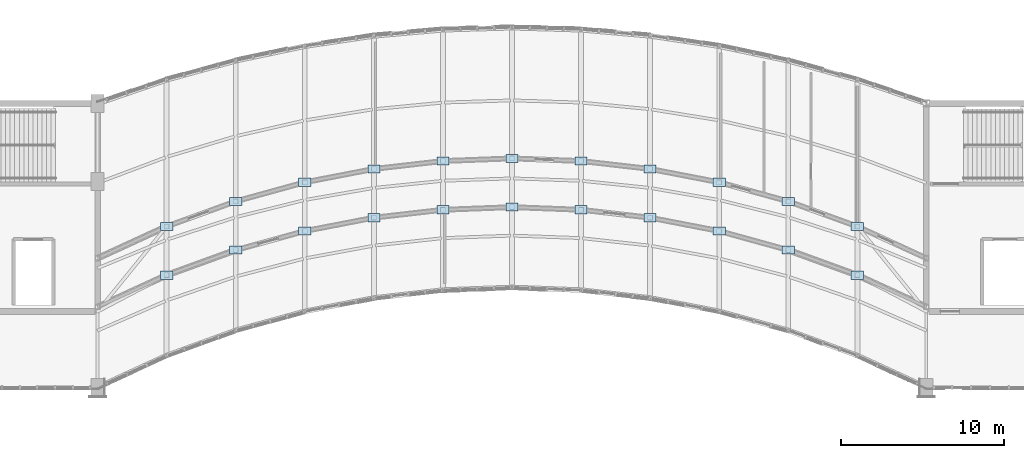
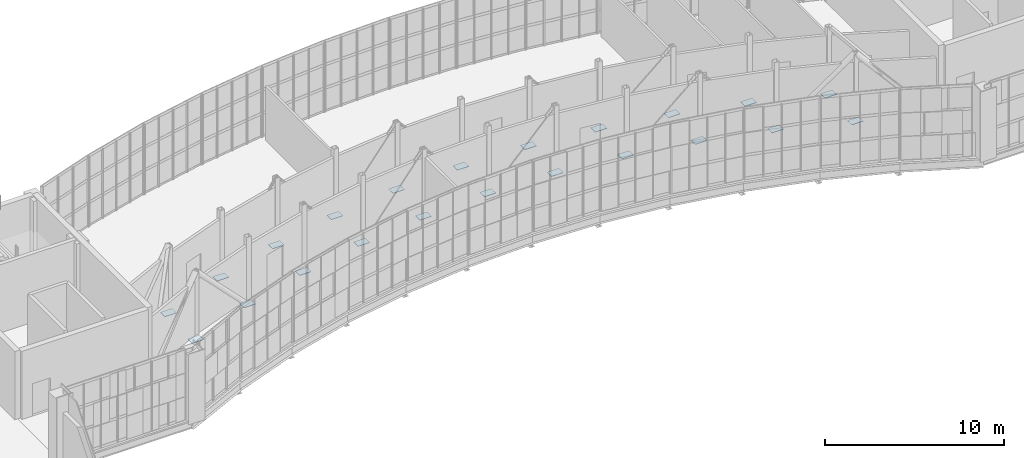
# One storey, part 50 of 66: 22 plates.
"""IFC4 building model written with IfcOpenShell, lengths in metres."""

from ifc_helpers import new_model, si_unit, direction, frame, origin, origin_2d, place, context, subcontext, project, spatial, rectangle, extrude, material, layer, layer_set, type_object, element, save


model = new_model("IFC4")

# Units and contexts
model_context = context("Model", 3, precision=1e-05, world=origin(), true_north=direction((0.0, 1.0)))
body_context = subcontext(model_context, "Body", "Model", "MODEL_VIEW")
ifc_project = project(units=[si_unit("LENGTHUNIT", "METRE"), si_unit("AREAUNIT", "SQUARE_METRE"), si_unit("VOLUMEUNIT", "CUBIC_METRE"), si_unit("PLANEANGLEUNIT", "RADIAN"), si_unit("MASSUNIT", "GRAM", prefix="KILO")], contexts=[model_context])

# Site, building, storey
site_placement = place(None, origin())
site = spatial("IfcSite", under=ifc_project, at=site_placement, CompositionType="ELEMENT")
building_placement = place(site_placement, origin())
building = spatial("IfcBuilding", under=site, at=building_placement, Name="Solvikara Media Centre", CompositionType="ELEMENT")
storey_placement = place(building_placement, frame((0.0, 0.0, 19.800048828125)))
storey = spatial("IfcBuildingStorey", under=building, at=storey_placement, Name="L04", CompositionType="ELEMENT", Elevation=19.800048828125)

# Plates
ifc_material = material(Name="Steel S355JR", Category="steel")
ifc_layer = layer(ifc_material, 0.028076171875)
ifc_layer_set = layer_set([ifc_layer], Name="Steel S355JR")
plate_type = type_object("IfcPlateType", Name="PL-01", PredefinedType="USERDEFINED", material=ifc_layer_set)
for number, where, z_axis, x_axis, name in (
    (1, (80.75, 26.22900390625, -0.4140625), (0.0, 0.0, 1.0), (1.0, 0.0, 0.0), "GP-L04-S-01"),
    (2, (85.0, 27.77392578125, -0.4140625), (0.0, 0.0, 1.0), (1.0, 0.0, 0.0), "GP-L04-S-02"),
    (3, (89.25, 28.946044921875, -0.4140625), (0.0, 0.0, 1.0), (1.0, 0.0, 0.0), "GP-L04-S-03"),
    (4, (93.5, 29.76806640625, -0.4140625), (0.0, 0.0, 1.0), (1.0, 0.0, 0.0), "GP-L04-S-04"),
    (5, (97.75, 30.2548828125, -0.4140625), (0.0, 0.0, 1.0), (1.0, 0.0, 0.0), "GP-L04-S-05"),
    (6, (102.0, 30.4169921875, -0.4140625), (0.0, 0.0, 1.0), (1.0, 0.0, 0.0), "GP-L04-S-06"),
    (7, (106.25, 30.2548828125, -0.4140625), (0.0, 0.0, 1.0), (1.0, 0.0, 0.0), "GP-L04-S-07"),
    (8, (110.5, 29.76806640625, -0.4140625), (0.0, 0.0, 1.0), (1.0, 0.0, 0.0), "GP-L04-S-08"),
    (9, (114.75, 28.946044921875, -0.4140625), (0.0, 0.0, 1.0), (1.0, 0.0, 0.0), "GP-L04-S-09"),
    (10, (119.0, 27.77392578125, -0.4140625), (0.0, 0.0, 1.0), (1.0, 0.0, 0.0), "GP-L04-S-10"),
    (11, (123.25, 26.22900390625, -0.4140625), (0.0, 0.0, 1.0), (1.0, 0.0, 0.0), "GP-L04-S-11"),
    (12, (80.75, 29.22900390625, -0.4140625), (0.0, 0.0, 1.0), (1.0, 0.0, 0.0), "GP-L04-N-01"),
    (13, (85.0, 30.77392578125, -0.4140625), (0.0, 0.0, 1.0), (1.0, 0.0, 0.0), "GP-L04-N-02"),
    (14, (89.25, 31.946044921875, -0.4140625), (0.0, 0.0, 1.0), (1.0, 0.0, 0.0), "GP-L04-N-03"),
    (15, (93.5, 32.76806640625, -0.4140625), (0.0, 0.0, 1.0), (1.0, 0.0, 0.0), "GP-L04-N-04"),
    (16, (97.75, 33.2548828125, -0.4140625), (0.0, 0.0, 1.0), (1.0, 0.0, 0.0), "GP-L04-N-05"),
    (17, (102.0, 33.4169921875, -0.4140625), (0.0, 0.0, 1.0), (1.0, 0.0, 0.0), "GP-L04-N-06"),
    (18, (106.25, 33.2548828125, -0.4140625), (0.0, 0.0, 1.0), (1.0, 0.0, 0.0), "GP-L04-N-07"),
    (19, (110.5, 32.76806640625, -0.4140625), (0.0, 0.0, 1.0), (1.0, 0.0, 0.0), "GP-L04-N-08"),
    (20, (114.75, 31.946044921875, -0.4140625), (0.0, 0.0, 1.0), (1.0, 0.0, 0.0), "GP-L04-N-09"),
    (21, (119.0, 30.77392578125, -0.4140625), (0.0, 0.0, 1.0), (1.0, 0.0, 0.0), "GP-L04-N-10"),
    (22, (123.25, 29.22900390625, -0.4140625), (0.0, 0.0, 1.0), (1.0, 0.0, 0.0), "GP-L04-N-11"),
):
    element("IfcPlate", number, at=place(storey_placement, frame(where, z_axis=z_axis, x_axis=x_axis)), inside=storey, type_object=plate_type, Name=name, ObjectType="GUSSET PLATE", PredefinedType="USERDEFINED", context=body_context, shape_type="SweptSolid", body=[
        extrude(rectangle(XDim=0.75, YDim=0.5, at=origin_2d()), origin(), (0.0, 0.0, 1.0), 0.028076171875),
    ])

save(model, "model.ifc")
